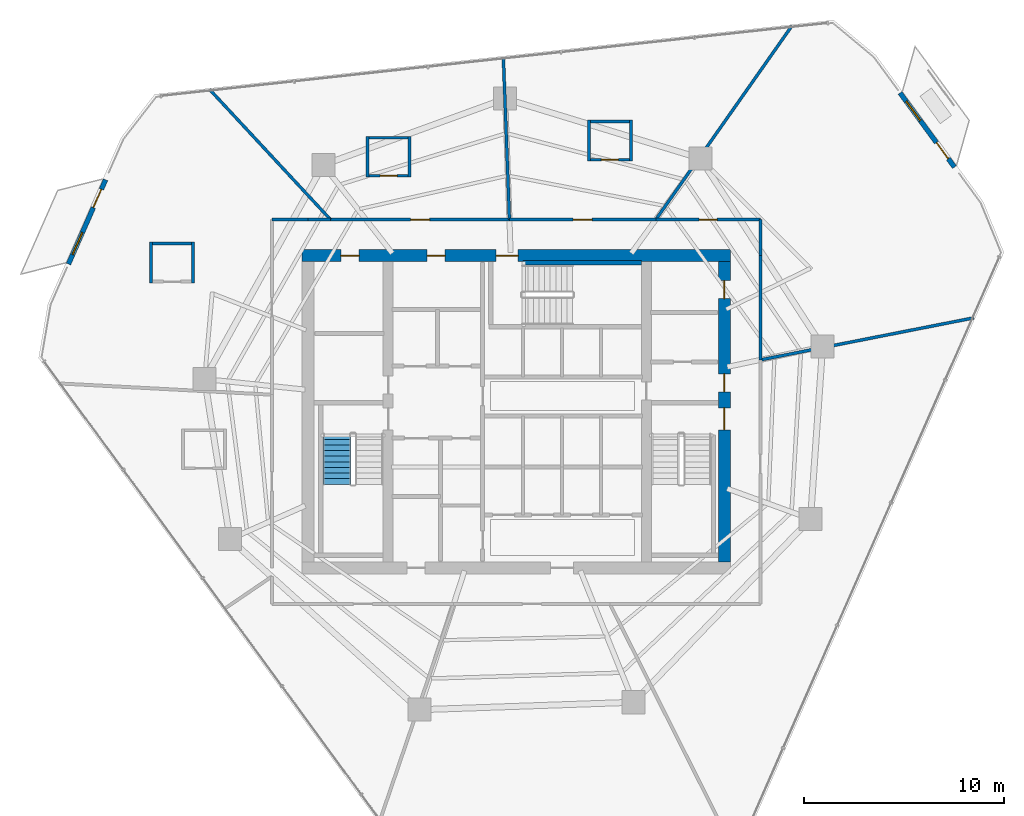
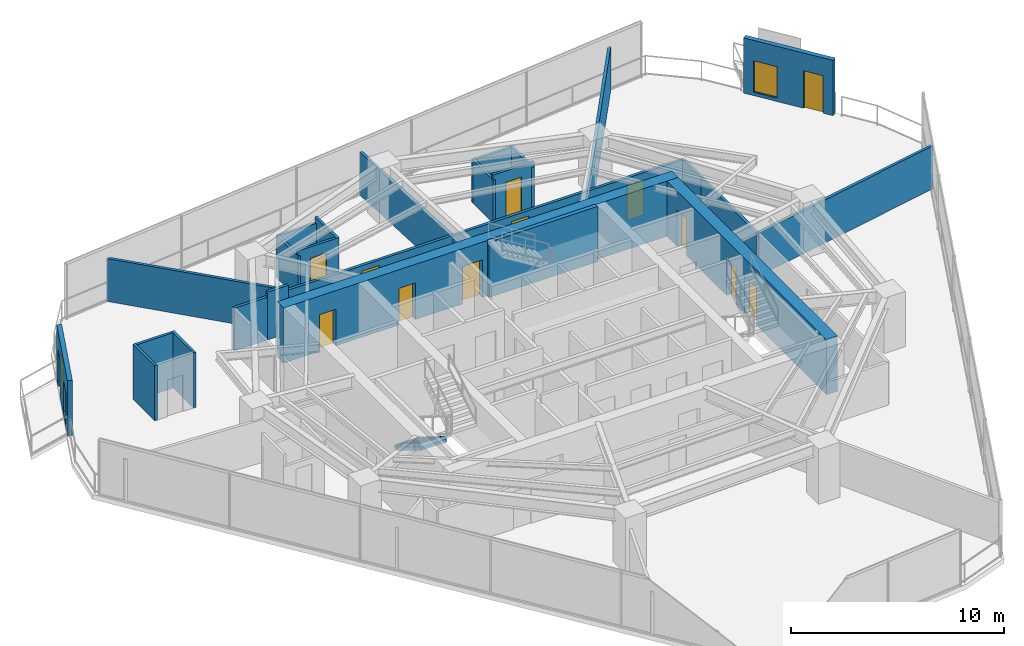
# One storey, part 26 of 30: 27 walls, 13 doors, 2 windows, 1 stair flight, 15 openings, 1 element without a shape of its own.
"""IFC4 building model written with IfcOpenShell, lengths in metres."""

import ifcopenshell
import ifcopenshell.guid

model = None  # the IFC model being written
_history = None  # IfcOwnerHistory: only IFC2X3 demands one
_inside = {}  # id of a spatial element -> (the spatial element, [elements in it])
_under = {}  # id of a project, library or spatial element -> (it, [spatial elements below it])
_declared = {}  # id of a project -> (the project, [libraries it declares])
_typed = {}  # id of a type object -> (the type object, [elements of that type])
_made_of = {}  # id of a material, layer set ... -> (it, [elements and type objects made of it])


def new_model(schema):
    """Start an empty IFC model of exactly this schema.

    Asked for "IFC4X3", IfcOpenShell would pick the latest addendum, in which some entities
    have other attributes; the version numbers below select the first issue.
    IFC2X3 requires an IfcOwnerHistory on every rooted entity: one is made here for all.
    """
    global model, _history
    if schema == "IFC4X3":
        model = ifcopenshell.file(schema_version=(4, 3, 0, 0))
    else:
        model = ifcopenshell.file(schema=schema)
    _inside.clear()
    _under.clear()
    _declared.clear()
    _typed.clear()
    _made_of.clear()
    _history = None
    if model.schema == "IFC2X3":
        org = make("IfcOrganization", Name="unknown")
        user = make(
            "IfcPersonAndOrganization",
            ThePerson=make("IfcPerson", FamilyName="unknown"),
            TheOrganization=org,
        )
        app = make(
            "IfcApplication",
            ApplicationDeveloper=org,
            Version="unknown",
            ApplicationFullName="unknown",
            ApplicationIdentifier="unknown",
        )
        _history = make(
            "IfcOwnerHistory",
            OwningUser=user,
            OwningApplication=app,
            ChangeAction="ADDED",
            CreationDate=0,
        )
    return model


def make(cls, **values):
    """One entity of the class cls with the attributes given. An attribute that is None is left unset."""
    return model.create_entity(
        cls, **{name: value for name, value in values.items() if value is not None}
    )


def rooted(cls, **values):
    """An entity with a GlobalId (a new one), such as an element, a storey or a relation."""
    return make(cls, GlobalId=ifcopenshell.guid.new(), OwnerHistory=_history, **values)


def si_unit(unit_type, name, prefix=None):
    """IfcSIUnit, for example si_unit("LENGTHUNIT", "METRE", prefix="MILLI")."""
    return make("IfcSIUnit", UnitType=unit_type, Prefix=prefix, Name=name)


def assignment(units):
    """IfcUnitAssignment: the units of a project."""
    return None if units is None else make("IfcUnitAssignment", Units=units)


def point(xyz):
    """IfcCartesianPoint."""
    return None if xyz is None else make("IfcCartesianPoint", Coordinates=xyz)


def direction(xyz):
    """IfcDirection."""
    return None if xyz is None else make("IfcDirection", DirectionRatios=xyz)


def frame(location, z_axis=None, x_axis=None):
    """IfcAxis2Placement3D, a coordinate frame: its origin and axes. An axis left out is left unset."""
    return make(
        "IfcAxis2Placement3D",
        Location=point(location),
        Axis=direction(z_axis),
        RefDirection=direction(x_axis),
    )


def frame_2d(location, x_axis=None):
    """IfcAxis2Placement2D, a coordinate frame in the plane: its origin and x axis."""
    return make(
        "IfcAxis2Placement2D", Location=point(location), RefDirection=direction(x_axis)
    )


def origin():
    """The frame at (0, 0, 0) with its axes left unset."""
    return frame((0.0, 0.0, 0.0))


def place(relative_to, where):
    """IfcLocalPlacement: puts the frame where relative to a parent placement (None: the world)."""
    return make(
        "IfcLocalPlacement", PlacementRelTo=relative_to, RelativePlacement=where
    )


def context(
    kind, dimensions, precision=None, world=None, true_north=None, identifier=None
):
    """IfcGeometricRepresentationContext, for example the 3D "Model" context."""
    return make(
        "IfcGeometricRepresentationContext",
        ContextIdentifier=identifier,
        ContextType=kind,
        CoordinateSpaceDimension=dimensions,
        Precision=precision,
        WorldCoordinateSystem=world,
        TrueNorth=true_north,
    )


def subcontext(parent, identifier, kind, view, scale=None):
    """IfcGeometricRepresentationSubContext, for example "Body" below "Model"."""
    return make(
        "IfcGeometricRepresentationSubContext",
        ContextIdentifier=identifier,
        ContextType=kind,
        ParentContext=parent,
        TargetScale=scale,
        TargetView=view,
    )


def project(units=None, contexts=None):
    """IfcProject with its units and contexts."""
    return rooted(
        "IfcProject",
        Name="project",
        RepresentationContexts=contexts,
        UnitsInContext=assignment(units),
    )


def spatial(cls, under=None, at=None, **own):
    """A site, building, storey or space (cls), placed at a placement, below another one or the project."""
    s = rooted(cls, ObjectPlacement=at, **own)
    if under is not None:
        _under.setdefault(under.id(), (under, []))[1].append(s)
    return s


def polyline(points):
    """IfcPolyline through the points."""
    return make("IfcPolyline", Points=[point(p) for p in points])


def profile(cls, at=None, kind="AREA", **sizes):
    """A parametric profile (cls). Its sizes go by their IFC names, for example OverallWidth=200.0."""
    return make(cls, ProfileType=kind, Position=at, **sizes)


def rectangle(**sizes):
    """IfcRectangleProfileDef."""
    return profile("IfcRectangleProfileDef", **sizes)


def outline(outer, holes=None, kind="AREA"):
    """IfcArbitraryClosedProfileDef: a profile drawn as a closed curve; with holes, ...WithVoids."""
    if holes is None:
        return make("IfcArbitraryClosedProfileDef", ProfileType=kind, OuterCurve=outer)
    return make(
        "IfcArbitraryProfileDefWithVoids",
        ProfileType=kind,
        OuterCurve=outer,
        InnerCurves=holes,
    )


def extrude(swept, where, along, depth):
    """IfcExtrudedAreaSolid: the profile swept, set in the frame where, extruded along a direction by depth."""
    return make(
        "IfcExtrudedAreaSolid",
        SweptArea=swept,
        Position=where,
        ExtrudedDirection=direction(along),
        Depth=depth,
    )


def shape(context_of_items, identifier, shape_type, items):
    """IfcShapeRepresentation: the items that make up one representation, for example the "Body"."""
    return make(
        "IfcShapeRepresentation",
        ContextOfItems=context_of_items,
        RepresentationIdentifier=identifier,
        RepresentationType=shape_type,
        Items=items,
    )


def material(Name=None, Category=None):
    """IfcMaterial."""
    return make("IfcMaterial", Name=Name, Category=Category)


def layer(
    of_material, thickness, ventilated=None, Name=None, Category=None, Priority=None
):
    """IfcMaterialLayer: one layer of a wall or slab, of a material (None: an air gap)."""
    return make(
        "IfcMaterialLayer",
        Material=of_material,
        LayerThickness=thickness,
        IsVentilated=ventilated,
        Name=Name,
        Category=Category,
        Priority=Priority,
    )


def layer_set(layers, Name=None):
    """IfcMaterialLayerSet."""
    return make("IfcMaterialLayerSet", MaterialLayers=layers, LayerSetName=Name)


def made_of(thing, what):
    """Note that an element or type object is made of a material, layer set ...; save() writes the relation."""
    if what is not None:
        _made_of.setdefault(what.id(), (what, []))[1].append(thing)
    return thing


def type_object(cls, material=None, **own):
    """A type object (cls), such as IfcWallType, which elements share."""
    return made_of(rooted(cls, **own), material)


def element(
    cls,
    number,
    at=None,
    inside=None,
    cuts=None,
    type_object=None,
    material=None,
    context=None,
    identifier="Body",
    shape_type=None,
    held_by="IfcProductDefinitionShape",
    body=None,
    shapes=None,
    **own,
):
    """One element of the class cls, such as IfcWall. Its Tag is "e" and its number.

    at: its placement. inside: the storey or other place that contains it. cuts: it is an
    opening in that element (IfcRelVoidsElement). A single representation is given by context,
    identifier, shape_type and body (its items); several are given by shapes. held_by: the class
    of the entity that holds the representations. save() writes the other relations.
    """
    e = rooted(cls, Tag="e%d" % number, ObjectPlacement=at, **own)
    if body is not None:
        shapes = [shape(context, identifier, shape_type, body)]
    if shapes is not None:
        e.Representation = make(held_by, Representations=shapes)
    if inside is not None:
        _inside.setdefault(inside.id(), (inside, []))[1].append(e)
    if cuts is not None:
        rooted(
            "IfcRelVoidsElement", RelatingBuildingElement=cuts, RelatedOpeningElement=e
        )
    if type_object is not None:
        _typed.setdefault(type_object.id(), (type_object, []))[1].append(e)
    return made_of(e, material)


def fill(opening, filler):
    """IfcRelFillsElement: the door or window that sits in an opening."""
    return rooted(
        "IfcRelFillsElement",
        RelatingOpeningElement=opening,
        RelatedBuildingElement=filler,
    )


def aggregate(whole, parts):
    """IfcRelAggregates: a whole, such as a stair, and the parts it consists of."""
    return rooted("IfcRelAggregates", RelatingObject=whole, RelatedObjects=parts)


def save(model, path):
    """Write the relations noted so far, then the file.

    IfcRelAggregates (storeys below a building ...), IfcRelContainedInSpatialStructure (elements
    in a storey), IfcRelDefinesByType, IfcRelAssociatesMaterial and IfcRelDeclares: one each for
    every whole, place, type object, material and project.
    """
    for whole, parts in _under.values():
        aggregate(whole, parts)
    for where, things in _inside.values():
        rooted(
            "IfcRelContainedInSpatialStructure",
            RelatedElements=things,
            RelatingStructure=where,
        )
    for kind, things in _typed.values():
        rooted("IfcRelDefinesByType", RelatedObjects=things, RelatingType=kind)
    for what, things in _made_of.values():
        rooted("IfcRelAssociatesMaterial", RelatedObjects=things, RelatingMaterial=what)
    for by, libraries in _declared.values():
        rooted("IfcRelDeclares", RelatingContext=by, RelatedDefinitions=libraries)
    model.write(path)


model = new_model("IFC4")

# Units and contexts
model_context = context("Model", 3, precision=1e-05, world=origin(), true_north=direction((0.0, 1.0)))
body_context = subcontext(model_context, "Body", "Model", "MODEL_VIEW")
ifc_project = project(units=[si_unit("LENGTHUNIT", "METRE"), si_unit("AREAUNIT", "SQUARE_METRE"), si_unit("VOLUMEUNIT", "CUBIC_METRE"), si_unit("PLANEANGLEUNIT", "RADIAN"), si_unit("MASSUNIT", "GRAM", prefix="KILO")], contexts=[model_context])

# Site, building, storey
site_placement = place(None, origin())
site = spatial("IfcSite", under=ifc_project, at=site_placement, CompositionType="ELEMENT")
building_placement = place(site_placement, origin())
building = spatial("IfcBuilding", under=site, at=building_placement, Name="Qarnah Convention Tower", CompositionType="ELEMENT")
storey_placement = place(building_placement, frame((0.0, 0.0, 90.14990234375)))
storey = spatial("IfcBuildingStorey", under=building, at=storey_placement, Name="L23", CompositionType="ELEMENT", Elevation=90.14990234375)

# Wall, openings, doors
ifc_material_1 = material(Name="Concrete C60/75", Category="concrete")
ifc_layer_1 = layer(ifc_material_1, 0.60009765625)
ifc_layer_set_1 = layer_set([ifc_layer_1], Name="Concrete C60/75")
wall_type_1 = type_object("IfcWallType", Name="WL-CORE-600", PredefinedType="SHEAR", material=ifc_layer_set_1)
wall_1_placement = place(storey_placement, frame((26.5, 34.199951171875, 0.0), z_axis=(0.0, 0.0, 1.0), x_axis=(1.0, 0.0, 0.0)))
wall_1 = element("IfcWall", 1, at=wall_1_placement, inside=storey, type_object=wall_type_1, Name="L23 core north shear wall", PredefinedType="SHEAR", context=body_context, shape_type="SweptSolid", body=[
    extrude(rectangle(XDim=21.39990234375, YDim=0.60009765625, at=frame_2d((10.699951171875, 0.0))), origin(), (0.0, 0.0, 1.0), 3.170166015625),
])
opening_1_placement = place(wall_1_placement, frame((9.699951171875, 0.0, 0.0)))
opening_1 = element("IfcOpeningElement", 2, at=opening_1_placement, cuts=wall_1, Name="Opening D-2303", PredefinedType="OPENING", context=body_context, shape_type="SweptSolid", body=[
    extrude(rectangle(XDim=1.10009765625, YDim=2.14990234375, at=frame_2d((0.550048828125, 1.074951171875))), frame((0.0, 0.31005859375, 0.0), z_axis=(0.0, -1.0, 0.0), x_axis=(1.0, 0.0, 0.0)), (0.0, 0.0, 1.0), 0.6201171875),
])
opening_2_placement = place(wall_1_placement, frame((1.949951171875, 0.0, 0.0)))
opening_2 = element("IfcOpeningElement", 3, at=opening_2_placement, cuts=wall_1, Name="Opening D-2309", PredefinedType="OPENING", context=body_context, shape_type="SweptSolid", body=[
    extrude(rectangle(XDim=0.89990234375, YDim=2.10009765625, at=frame_2d((0.449951171875, 1.050048828125))), frame((0.0, 0.31005859375, 0.0), z_axis=(0.0, -1.0, 0.0), x_axis=(1.0, 0.0, 0.0)), (0.0, 0.0, 1.0), 0.6201171875),
])
opening_3_placement = place(wall_1_placement, frame((6.25, 0.0, 0.0)))
opening_3 = element("IfcOpeningElement", 4, at=opening_3_placement, cuts=wall_1, Name="Opening D-2310", PredefinedType="OPENING", context=body_context, shape_type="SweptSolid", body=[
    extrude(rectangle(XDim=0.89990234375, YDim=2.10009765625, at=frame_2d((0.449951171875, 1.050048828125))), frame((0.0, 0.31005859375, 0.0), z_axis=(0.0, -1.0, 0.0), x_axis=(1.0, 0.0, 0.0)), (0.0, 0.0, 1.0), 0.6201171875),
])
ifc_material_2 = material(Name="Structural steel S355JR", Category="steel")
door_type_1 = type_object("IfcDoorType", Name="DT-RISER-900", OperationType="NOTDEFINED", PredefinedType="DOOR", material=ifc_material_2)
door_1_placement = place(opening_2_placement, origin())
door_1 = element("IfcDoor", 5, at=door_1_placement, inside=storey, type_object=door_type_1, Name="Door D-2309", OperationType="SINGLE_SWING_LEFT", OverallHeight=2.10009765625, OverallWidth=0.89990234375, PredefinedType="DOOR", context=body_context, shape_type="SweptSolid", body=[
    extrude(rectangle(XDim=0.89990234375, YDim=2.10009765625, at=frame_2d((0.449951171875, 1.050048828125))), frame((0.0, 0.02490234375, 0.0), z_axis=(0.0, -1.0, 0.0), x_axis=(1.0, 0.0, 0.0)), (0.0, 0.0, 1.0), 0.050048828125),
])
fill(opening_2, door_1)
door_2_placement = place(opening_3_placement, origin())
door_2 = element("IfcDoor", 6, at=door_2_placement, inside=storey, type_object=door_type_1, Name="Door D-2310", OperationType="SINGLE_SWING_RIGHT", OverallHeight=2.10009765625, OverallWidth=0.89990234375, PredefinedType="DOOR", context=body_context, shape_type="SweptSolid", body=[
    extrude(rectangle(XDim=0.89990234375, YDim=2.10009765625, at=frame_2d((0.449951171875, 1.050048828125))), frame((0.0, 0.02490234375, 0.0), z_axis=(0.0, -1.0, 0.0), x_axis=(1.0, 0.0, 0.0)), (0.0, 0.0, 1.0), 0.050048828125),
])
fill(opening_3, door_2)
door_type_2 = type_object("IfcDoorType", Name="DT-STAIR-1100", OperationType="NOTDEFINED", PredefinedType="DOOR", material=ifc_material_2)
door_3_placement = place(opening_1_placement, origin())
door_3 = element("IfcDoor", 7, at=door_3_placement, inside=storey, type_object=door_type_2, Name="Door D-2303", OperationType="SINGLE_SWING_LEFT", OverallHeight=2.14990234375, OverallWidth=1.10009765625, PredefinedType="DOOR", context=body_context, shape_type="SweptSolid", body=[
    extrude(rectangle(XDim=1.10009765625, YDim=2.14990234375, at=frame_2d((0.550048828125, 1.074951171875))), frame((0.0, 0.02490234375, 0.0), z_axis=(0.0, -1.0, 0.0), x_axis=(1.0, 0.0, 0.0)), (0.0, 0.0, 1.0), 0.050048828125),
])
fill(opening_1, door_3)

wall_2_placement = place(storey_placement, frame((47.60009765625, 18.89990234375, 0.0), z_axis=(0.0, 0.0, 1.0), x_axis=(0.0, 1.0, 0.0)))
wall_2 = element("IfcWall", 8, at=wall_2_placement, inside=storey, type_object=wall_type_1, Name="L23 core east shear wall", PredefinedType="SHEAR", context=body_context, shape_type="SweptSolid", body=[
    extrude(rectangle(XDim=15.0, YDim=0.60009765625, at=frame_2d((7.5, 0.0))), origin(), (0.0, 0.0, 1.0), 3.170166015625),
])
opening_4_placement = place(wall_2_placement, frame((6.60009765625, 0.0, 0.0)))
opening_4 = element("IfcOpeningElement", 9, at=opening_4_placement, cuts=wall_2, Name="Opening D-2302", PredefinedType="OPENING", context=body_context, shape_type="SweptSolid", body=[
    extrude(rectangle(XDim=1.10009765625, YDim=2.14990234375, at=frame_2d((0.550048828125, 1.074951171875))), frame((0.0, 0.31005859375, 0.0), z_axis=(0.0, -1.0, 0.0), x_axis=(1.0, 0.0, 0.0)), (0.0, 0.0, 1.0), 0.6201171875),
])
opening_5_placement = place(wall_2_placement, frame((8.5, 0.0, 0.0)))
opening_5 = element("IfcOpeningElement", 10, at=opening_5_placement, cuts=wall_2, Name="Opening D-2306", PredefinedType="OPENING", context=body_context, shape_type="SweptSolid", body=[
    extrude(rectangle(XDim=0.89990234375, YDim=2.10009765625, at=frame_2d((0.449951171875, 1.050048828125))), frame((0.0, 0.31005859375, 0.0), z_axis=(0.0, -1.0, 0.0), x_axis=(1.0, 0.0, 0.0)), (0.0, 0.0, 1.0), 0.6201171875),
])
opening_6_placement = place(wall_2_placement, frame((13.14990234375, 0.0, 0.0)))
opening_6 = element("IfcOpeningElement", 11, at=opening_6_placement, cuts=wall_2, Name="Opening D-2312", PredefinedType="OPENING", context=body_context, shape_type="SweptSolid", body=[
    extrude(rectangle(XDim=0.89990234375, YDim=2.10009765625, at=frame_2d((0.449951171875, 1.050048828125))), frame((0.0, 0.31005859375, 0.0), z_axis=(0.0, -1.0, 0.0), x_axis=(1.0, 0.0, 0.0)), (0.0, 0.0, 1.0), 0.6201171875),
])
door_4_placement = place(opening_5_placement, origin())
door_4 = element("IfcDoor", 12, at=door_4_placement, inside=storey, type_object=door_type_1, Name="Door D-2306", OperationType="SINGLE_SWING_RIGHT", OverallHeight=2.10009765625, OverallWidth=0.89990234375, PredefinedType="DOOR", context=body_context, shape_type="SweptSolid", body=[
    extrude(rectangle(XDim=0.89990234375, YDim=2.10009765625, at=frame_2d((0.449951171875, 1.050048828125))), frame((0.0, 0.02490234375, 0.0), z_axis=(0.0, -1.0, 0.0), x_axis=(1.0, 0.0, 0.0)), (0.0, 0.0, 1.0), 0.050048828125),
])
fill(opening_5, door_4)
door_5_placement = place(opening_6_placement, origin())
door_5 = element("IfcDoor", 13, at=door_5_placement, inside=storey, type_object=door_type_1, Name="Door D-2312", OperationType="SINGLE_SWING_RIGHT", OverallHeight=2.10009765625, OverallWidth=0.89990234375, PredefinedType="DOOR", context=body_context, shape_type="SweptSolid", body=[
    extrude(rectangle(XDim=0.89990234375, YDim=2.10009765625, at=frame_2d((0.449951171875, 1.050048828125))), frame((0.0, 0.02490234375, 0.0), z_axis=(0.0, -1.0, 0.0), x_axis=(1.0, 0.0, 0.0)), (0.0, 0.0, 1.0), 0.050048828125),
])
fill(opening_6, door_5)
door_6_placement = place(opening_4_placement, origin())
door_6 = element("IfcDoor", 14, at=door_6_placement, inside=storey, type_object=door_type_2, Name="Door D-2302", OperationType="SINGLE_SWING_RIGHT", OverallHeight=2.14990234375, OverallWidth=1.10009765625, PredefinedType="DOOR", context=body_context, shape_type="SweptSolid", body=[
    extrude(rectangle(XDim=1.10009765625, YDim=2.14990234375, at=frame_2d((0.550048828125, 1.074951171875))), frame((0.0, 0.02490234375, 0.0), z_axis=(0.0, -1.0, 0.0), x_axis=(1.0, 0.0, 0.0)), (0.0, 0.0, 1.0), 0.050048828125),
])
fill(opening_4, door_6)

# Wall
ifc_layer_2 = layer(ifc_material_1, 0.219970703125)
ifc_layer_set_2 = layer_set([ifc_layer_2], Name="Concrete C60/75")
wall_type_2 = type_object("IfcWallType", Name="WL-CORE-STAIR-220", PredefinedType="SHEAR", material=ifc_layer_set_2)
wall_3_placement = place(storey_placement, frame((37.550048828125, 33.840087890625, 0.0), z_axis=(0.0, 0.0, 1.0), x_axis=(1.0, 0.0, 0.0)))
element("IfcWall", 15, at=wall_3_placement, inside=storey, type_object=wall_type_2, Name="L23 stair shaft shear wall SW-L23-ST3N", PredefinedType="SHEAR", context=body_context, shape_type="SweptSolid", body=[
    extrude(rectangle(XDim=5.89990234375, YDim=0.219970703125, at=frame_2d((2.949951171875, 0.0))), origin(), (0.0, 0.0, 1.0), 3.170166015625),
])

# Wall, openings, door, window
ifc_material_3 = material(Name="Precast concrete C45/55", Category="concrete")
ifc_layer_3 = layer(ifc_material_3, 0.239990234375)
ifc_layer_set_3 = layer_set([ifc_layer_3], Name="Precast concrete C45/55")
wall_type_3 = type_object("IfcWallType", Name="WL-EXT-BAL-240", PredefinedType="SOLIDWALL", material=ifc_layer_set_3)
wall_4_placement = place(storey_placement, frame((56.3779296875, 42.3310546875, 0.0), z_axis=(0.0, 0.0, 1.0), x_axis=(0.591269327331, -0.806474167322, 0.0)))
wall_4 = element("IfcWall", 16, at=wall_4_placement, inside=storey, type_object=wall_type_3, Name="L23 loggia threshold wall BAL-L23-C1", PredefinedType="SOLIDWALL", context=body_context, shape_type="SweptSolid", body=[
    extrude(rectangle(XDim=4.600341796875, YDim=0.239990234375, at=frame_2d((2.30029296875, 0.0))), origin(), (0.0, 0.0, 1.0), 3.170166015625),
])
opening_7_placement = place(wall_4_placement, frame((3.080078125, 0.0, 0.0)))
opening_7 = element("IfcOpeningElement", 17, at=opening_7_placement, cuts=wall_4, Name="Opening BD-2301", PredefinedType="OPENING", context=body_context, shape_type="SweptSolid", body=[
    extrude(rectangle(XDim=1.0, YDim=2.14990234375, at=frame_2d((0.5, 1.074951171875))), frame((0.0, 0.1298828125, 0.0), z_axis=(0.0, -1.0, 0.0), x_axis=(1.0, 0.0, 0.0)), (0.0, 0.0, 1.0), 0.260009765625),
])
opening_8_placement = place(wall_4_placement, frame((0.52001953125, 0.0, 0.199951171875)))
opening_8 = element("IfcOpeningElement", 18, at=opening_8_placement, cuts=wall_4, Name="Opening WN5", PredefinedType="OPENING", context=body_context, shape_type="SweptSolid", body=[
    extrude(rectangle(XDim=1.199951171875, YDim=1.800048828125, at=frame_2d((0.60009765625, 0.89990234375))), frame((0.0, 0.1298828125, 0.0), z_axis=(0.0, -1.0, 0.0), x_axis=(1.0, 0.0, 0.0)), (0.0, 0.0, 1.0), 0.260009765625),
])
ifc_material_4 = material(Name="Black anodised aluminium", Category="aluminium")
door_type_3 = type_object("IfcDoorType", Name="DT-BAL-1000", OperationType="NOTDEFINED", PredefinedType="DOOR", material=ifc_material_4)
door_7_placement = place(opening_7_placement, origin())
door_7 = element("IfcDoor", 19, at=door_7_placement, inside=storey, type_object=door_type_3, Name="L23 balcony terrace door BAL-L23-C1", OperationType="SINGLE_SWING_LEFT", OverallHeight=2.14990234375, OverallWidth=1.0, PredefinedType="DOOR", context=body_context, shape_type="SweptSolid", body=[
    extrude(rectangle(XDim=1.0, YDim=2.14990234375, at=frame_2d((0.5, 1.074951171875))), frame((0.0, 0.02490234375, 0.0), z_axis=(0.0, -1.0, 0.0), x_axis=(1.0, 0.0, 0.0)), (0.0, 0.0, 1.0), 0.050048828125),
])
fill(opening_7, door_7)
ifc_material_5 = material(Name="Tempered Low-E dark glass", Category="glass")
window_type = type_object("IfcWindowType", Name="WT-BAL-1200X1800", PartitioningType="SINGLE_PANEL", PredefinedType="WINDOW", material=ifc_material_5)
window_1_placement = place(opening_8_placement, origin())
window_1 = element("IfcWindow", 20, at=window_1_placement, inside=storey, type_object=window_type, Name="Window BW-BAL-L23-C1", OverallHeight=1.800048828125, OverallWidth=1.199951171875, PartitioningType="SINGLE_PANEL", PredefinedType="WINDOW", context=body_context, shape_type="SweptSolid", body=[
    extrude(rectangle(XDim=1.199951171875, YDim=1.800048828125, at=frame_2d((0.60009765625, 0.89990234375))), frame((0.0, 0.030029296875, 0.0), z_axis=(0.0, -1.0, 0.0), x_axis=(1.0, 0.0, 0.0)), (0.0, 0.0, 1.0), 0.06005859375),
])
fill(opening_8, window_1)

wall_5_placement = place(storey_placement, frame((14.8349609375, 33.781005859375, 0.0), z_axis=(0.0, 0.0, 1.0), x_axis=(0.402955546911, 0.915219551372, 0.0)))
wall_5 = element("IfcWall", 21, at=wall_5_placement, inside=storey, type_object=wall_type_3, Name="L23 loggia threshold wall BAL-L23-C2", PredefinedType="SOLIDWALL", context=body_context, shape_type="SweptSolid", body=[
    extrude(rectangle(XDim=4.60107421875, YDim=0.239990234375, at=frame_2d((2.300537109375, 0.0))), origin(), (0.0, 0.0, 1.0), 3.170166015625),
])
opening_9_placement = place(wall_5_placement, frame((3.0810546875, 0.0, 0.0)))
opening_9 = element("IfcOpeningElement", 22, at=opening_9_placement, cuts=wall_5, Name="Opening BD-2302", PredefinedType="OPENING", context=body_context, shape_type="SweptSolid", body=[
    extrude(rectangle(XDim=1.0, YDim=2.14990234375, at=frame_2d((0.5, 1.074951171875))), frame((0.0, 0.1298828125, 0.0), z_axis=(0.0, -1.0, 0.0), x_axis=(1.0, 0.0, 0.0)), (0.0, 0.0, 1.0), 0.260009765625),
])
opening_10_placement = place(wall_5_placement, frame((0.52001953125, 0.0, 0.199951171875)))
opening_10 = element("IfcOpeningElement", 23, at=opening_10_placement, cuts=wall_5, Name="Opening WN5", PredefinedType="OPENING", context=body_context, shape_type="SweptSolid", body=[
    extrude(rectangle(XDim=1.199951171875, YDim=1.800048828125, at=frame_2d((0.60009765625, 0.89990234375))), frame((0.0, 0.1298828125, 0.0), z_axis=(0.0, -1.0, 0.0), x_axis=(1.0, 0.0, 0.0)), (0.0, 0.0, 1.0), 0.260009765625),
])
door_8_placement = place(opening_9_placement, origin())
door_8 = element("IfcDoor", 24, at=door_8_placement, inside=storey, type_object=door_type_3, Name="L23 balcony terrace door BAL-L23-C2", OperationType="SINGLE_SWING_RIGHT", OverallHeight=2.14990234375, OverallWidth=1.0, PredefinedType="DOOR", context=body_context, shape_type="SweptSolid", body=[
    extrude(rectangle(XDim=1.0, YDim=2.14990234375, at=frame_2d((0.5, 1.074951171875))), frame((0.0, 0.02490234375, 0.0), z_axis=(0.0, -1.0, 0.0), x_axis=(1.0, 0.0, 0.0)), (0.0, 0.0, 1.0), 0.050048828125),
])
fill(opening_9, door_8)
window_2_placement = place(opening_10_placement, origin())
window_2 = element("IfcWindow", 25, at=window_2_placement, inside=storey, type_object=window_type, Name="Window BW-BAL-L23-C2", OverallHeight=1.800048828125, OverallWidth=1.199951171875, PartitioningType="SINGLE_PANEL", PredefinedType="WINDOW", context=body_context, shape_type="SweptSolid", body=[
    extrude(rectangle(XDim=1.199951171875, YDim=1.800048828125, at=frame_2d((0.60009765625, 0.89990234375))), frame((0.0, 0.030029296875, 0.0), z_axis=(0.0, -1.0, 0.0), x_axis=(1.0, 0.0, 0.0)), (0.0, 0.0, 1.0), 0.06005859375),
])
fill(opening_10, window_2)

# Wall
ifc_material_6 = material(Name="Gypsum partition board")
ifc_layer_4 = layer(ifc_material_6, 0.14990234375)
ifc_layer_set_4 = layer_set([ifc_layer_4], Name="Gypsum partition board")
wall_type_4 = type_object("IfcWallType", Name="WL-SUITE-150", PredefinedType="PARTITIONING", material=ifc_layer_set_4)
wall_6_placement = place(storey_placement, frame((50.97998046875, 45.68603515625, 0.0), z_axis=(0.0, 0.0, 1.0), x_axis=(-0.574862300316, -0.818250166926, 0.0)))
element("IfcWall", 26, at=wall_6_placement, inside=storey, type_object=wall_type_4, Name="L23 interior wall IW-L23-R-17", PredefinedType="PARTITIONING", context=body_context, shape_type="SweptSolid", body=[
    extrude(rectangle(XDim=11.83740234375, YDim=0.14990234375, at=frame_2d((5.918701171875, 0.0))), origin(), (0.0, 0.0, 1.0), 2.467041015625),
])

# Wall, opening, door
wall_7_placement = place(storey_placement, frame((44.175048828125, 36.0, 0.0), z_axis=(0.0, 0.0, 1.0), x_axis=(1.0, 0.0, 0.0)))
wall_7 = element("IfcWall", 27, at=wall_7_placement, inside=storey, type_object=wall_type_4, Name="L23 interior wall IW-L23-R-18", PredefinedType="PARTITIONING", context=body_context, shape_type="SweptSolid", body=[
    extrude(rectangle(XDim=5.224853515625, YDim=0.14990234375, at=frame_2d((2.6123046875, 0.0))), origin(), (0.0, 0.0, 1.0), 2.455078125),
])
opening_11_placement = place(wall_7_placement, frame((2.1630859375, 0.0, 0.0)))
opening_11 = element("IfcOpeningElement", 28, at=opening_11_placement, cuts=wall_7, Name="Opening D-2316", PredefinedType="OPENING", context=body_context, shape_type="SweptSolid", body=[
    extrude(rectangle(XDim=0.89990234375, YDim=2.0, at=frame_2d((0.449951171875, 1.0))), frame((0.0, 0.0849609375, 0.0), z_axis=(0.0, -1.0, 0.0), x_axis=(1.0, 0.0, 0.0)), (0.0, 0.0, 1.0), 0.169921875),
])
door_type_4 = type_object("IfcDoorType", Name="DT-PLANT-900", OperationType="NOTDEFINED", PredefinedType="DOOR", material=ifc_material_2)
door_9_placement = place(opening_11_placement, origin())
door_9 = element("IfcDoor", 29, at=door_9_placement, inside=storey, type_object=door_type_4, Name="Door D-2316", OperationType="SINGLE_SWING_RIGHT", OverallHeight=2.0, OverallWidth=0.89990234375, PredefinedType="DOOR", context=body_context, shape_type="SweptSolid", body=[
    extrude(rectangle(XDim=0.89990234375, YDim=2.0, at=frame_2d((0.449951171875, 1.0))), frame((0.0, 0.02490234375, 0.0), z_axis=(0.0, -1.0, 0.0), x_axis=(1.0, 0.0, 0.0)), (0.0, 0.0, 1.0), 0.050048828125),
])
fill(opening_11, door_9)

# Walls
wall_8_placement = place(storey_placement, frame((49.39990234375, 36.0, 0.0), z_axis=(0.0, 0.0, 1.0), x_axis=(0.0, -1.0, 0.0)))
element("IfcWall", 30, at=wall_8_placement, inside=storey, type_object=wall_type_4, Name="L23 interior wall IW-L23-R-19", PredefinedType="PARTITIONING", context=body_context, shape_type="SweptSolid", body=[
    extrude(rectangle(XDim=1.800048828125, YDim=0.14990234375, at=frame_2d((0.89990234375, 0.0))), origin(), (0.0, 0.0, 1.0), 2.455078125),
])
wall_9_placement = place(storey_placement, frame((49.39990234375, 34.199951171875, 0.0), z_axis=(0.0, 0.0, 1.0), x_axis=(0.0, -1.0, 0.0)))
element("IfcWall", 31, at=wall_9_placement, inside=storey, type_object=wall_type_4, Name="L23 interior wall IW-L23-R-20", PredefinedType="PARTITIONING", context=body_context, shape_type="SweptSolid", body=[
    extrude(rectangle(XDim=5.20703125, YDim=0.14990234375, at=frame_2d((2.603515625, 0.0))), origin(), (0.0, 0.0, 1.0), 2.455078125),
])
wall_10_placement = place(storey_placement, frame((49.39990234375, 28.992919921875, 0.0), z_axis=(0.0, 0.0, 1.0), x_axis=(0.981148531222, 0.193255167283, 0.0)))
element("IfcWall", 32, at=wall_10_placement, inside=storey, type_object=wall_type_4, Name="L23 interior wall IW-L23-R-21", PredefinedType="PARTITIONING", context=body_context, shape_type="SweptSolid", body=[
    extrude(rectangle(XDim=10.866943359375, YDim=0.14990234375, at=frame_2d((5.43359375, 0.0))), origin(), (0.0, 0.0, 1.0), 2.467041015625),
])
wall_11_placement = place(storey_placement, frame((36.56103515625, 44.089111328125, 0.0), z_axis=(0.0, 0.0, 1.0), x_axis=(0.037549331335, -0.999294775187, 0.0)))
element("IfcWall", 33, at=wall_11_placement, inside=storey, type_object=wall_type_4, Name="L23 interior wall IW-L23-R-22", PredefinedType="PARTITIONING", context=body_context, shape_type="SweptSolid", body=[
    extrude(rectangle(XDim=8.0947265625, YDim=0.14990234375, at=frame_2d((4.04736328125, 0.0))), origin(), (0.0, 0.0, 1.0), 2.467041015625),
])

# Wall, opening, door
wall_12_placement = place(storey_placement, frame((36.864990234375, 36.0, 0.0), z_axis=(0.0, 0.0, 1.0), x_axis=(1.0, 0.0, 0.0)))
wall_12 = element("IfcWall", 34, at=wall_12_placement, inside=storey, type_object=wall_type_4, Name="L23 interior wall IW-L23-R-23", PredefinedType="PARTITIONING", context=body_context, shape_type="SweptSolid", body=[
    extrude(rectangle(XDim=7.31005859375, YDim=0.14990234375, at=frame_2d((3.655029296875, 0.0))), origin(), (0.0, 0.0, 1.0), 2.467041015625),
])
opening_12_placement = place(wall_12_placement, frame((3.179931640625, 0.0, 0.0)))
opening_12 = element("IfcOpeningElement", 35, at=opening_12_placement, cuts=wall_12, Name="Opening D-2317", PredefinedType="OPENING", context=body_context, shape_type="SweptSolid", body=[
    extrude(rectangle(XDim=0.949951171875, YDim=2.14990234375, at=frame_2d((0.47509765625, 1.074951171875))), frame((0.0, 0.0849609375, 0.0), z_axis=(0.0, -1.0, 0.0), x_axis=(1.0, 0.0, 0.0)), (0.0, 0.0, 1.0), 0.169921875),
])
ifc_material_7 = material(Name="Oak timber veneer", Category="wood")
door_type_5 = type_object("IfcDoorType", Name="DT-HOTEL-950", OperationType="NOTDEFINED", PredefinedType="DOOR", material=ifc_material_7)
door_10_placement = place(opening_12_placement, origin())
door_10 = element("IfcDoor", 36, at=door_10_placement, inside=storey, type_object=door_type_5, Name="Door D-2317", OperationType="SINGLE_SWING_LEFT", OverallHeight=2.14990234375, OverallWidth=0.949951171875, PredefinedType="DOOR", context=body_context, shape_type="SweptSolid", body=[
    extrude(rectangle(XDim=0.949951171875, YDim=2.14990234375, at=frame_2d((0.47509765625, 1.074951171875))), frame((0.0, 0.02490234375, 0.0), z_axis=(0.0, -1.0, 0.0), x_axis=(1.0, 0.0, 0.0)), (0.0, 0.0, 1.0), 0.050048828125),
])
fill(opening_12, door_10)

# Wall
wall_13_placement = place(storey_placement, frame((21.888916015625, 42.5009765625, 0.0), z_axis=(0.0, 0.0, 1.0), x_axis=(0.680657905553, -0.732601402953, 0.0)))
element("IfcWall", 37, at=wall_13_placement, inside=storey, type_object=wall_type_4, Name="L23 interior wall IW-L23-R-24", PredefinedType="PARTITIONING", context=body_context, shape_type="SweptSolid", body=[
    extrude(rectangle(XDim=8.873779296875, YDim=0.14990234375, at=frame_2d((4.43701171875, 0.0))), origin(), (0.0, 0.0, 1.0), 2.455078125),
])

# Wall, opening, door
wall_14_placement = place(storey_placement, frame((27.928955078125, 36.0, 0.0), z_axis=(0.0, 0.0, 1.0), x_axis=(1.0, 0.0, 0.0)))
wall_14 = element("IfcWall", 38, at=wall_14_placement, inside=storey, type_object=wall_type_4, Name="L23 interior wall IW-L23-R-25", PredefinedType="PARTITIONING", context=body_context, shape_type="SweptSolid", body=[
    extrude(rectangle(XDim=8.93603515625, YDim=0.14990234375, at=frame_2d((4.468017578125, 0.0))), origin(), (0.0, 0.0, 1.0), 2.467041015625),
])
opening_13_placement = place(wall_14_placement, frame((3.992919921875, 0.0, 0.0)))
opening_13 = element("IfcOpeningElement", 39, at=opening_13_placement, cuts=wall_14, Name="Opening D-2319", PredefinedType="OPENING", context=body_context, shape_type="SweptSolid", body=[
    extrude(rectangle(XDim=0.949951171875, YDim=2.14990234375, at=frame_2d((0.47509765625, 1.074951171875))), frame((0.0, 0.0849609375, 0.0), z_axis=(0.0, -1.0, 0.0), x_axis=(1.0, 0.0, 0.0)), (0.0, 0.0, 1.0), 0.169921875),
])
door_11_placement = place(opening_13_placement, origin())
door_11 = element("IfcDoor", 40, at=door_11_placement, inside=storey, type_object=door_type_5, Name="Door D-2319", OperationType="SINGLE_SWING_LEFT", OverallHeight=2.14990234375, OverallWidth=0.949951171875, PredefinedType="DOOR", context=body_context, shape_type="SweptSolid", body=[
    extrude(rectangle(XDim=0.949951171875, YDim=2.14990234375, at=frame_2d((0.47509765625, 1.074951171875))), frame((0.0, 0.02490234375, 0.0), z_axis=(0.0, -1.0, 0.0), x_axis=(1.0, 0.0, 0.0)), (0.0, 0.0, 1.0), 0.050048828125),
])
fill(opening_13, door_11)

# Walls
wall_15_placement = place(storey_placement, frame((25.0, 36.0, 0.0), z_axis=(0.0, 0.0, 1.0), x_axis=(1.0, 0.0, 0.0)))
element("IfcWall", 41, at=wall_15_placement, inside=storey, type_object=wall_type_4, Name="L23 interior wall IW-L23-R-28", PredefinedType="PARTITIONING", context=body_context, shape_type="SweptSolid", body=[
    extrude(rectangle(XDim=1.800048828125, YDim=0.14990234375, at=frame_2d((0.89990234375, 0.0))), origin(), (0.0, 0.0, 1.0), 2.455078125),
])
wall_16_placement = place(storey_placement, frame((26.800048828125, 36.0, 0.0), z_axis=(0.0, 0.0, 1.0), x_axis=(1.0, 0.0, 0.0)))
element("IfcWall", 42, at=wall_16_placement, inside=storey, type_object=wall_type_4, Name="L23 interior wall IW-L23-R-29", PredefinedType="PARTITIONING", context=body_context, shape_type="SweptSolid", body=[
    extrude(rectangle(XDim=1.12890625, YDim=0.14990234375, at=frame_2d((0.564453125, 0.0))), origin(), (0.0, 0.0, 1.0), 2.7470703125),
])

# Wall, opening, door
ifc_layer_5 = layer(ifc_material_6, 0.139892578125)
ifc_layer_set_5 = layer_set([ifc_layer_5], Name="Gypsum partition board")
wall_type_5 = type_object("IfcWallType", Name="WL-WET-140", PredefinedType="PARTITIONING", material=ifc_layer_set_5)
wall_17_placement = place(storey_placement, frame((40.763916015625, 38.9951171875, 0.0), z_axis=(0.0, 0.0, 1.0), x_axis=(1.0, 0.0, 0.0)))
wall_17 = element("IfcWall", 43, at=wall_17_placement, inside=storey, type_object=wall_type_5, Name="L23 interior wall IW-L23-ENS01-1", PredefinedType="PARTITIONING", context=body_context, shape_type="SweptSolid", body=[
    extrude(rectangle(XDim=2.239990234375, YDim=0.139892578125, at=frame_2d((1.1201171875, 0.0))), origin(), (0.0, 0.0, 1.0), 2.7470703125),
])
opening_14_placement = place(wall_17_placement, frame((0.695068359375, 0.0, 0.0)))
opening_14 = element("IfcOpeningElement", 44, at=opening_14_placement, cuts=wall_17, Name="Opening D-2318", PredefinedType="OPENING", context=body_context, shape_type="SweptSolid", body=[
    extrude(rectangle(XDim=0.85009765625, YDim=2.10009765625, at=frame_2d((0.425048828125, 1.050048828125))), frame((0.0, 0.079833984375, 0.0), z_axis=(0.0, -1.0, 0.0), x_axis=(1.0, 0.0, 0.0)), (0.0, 0.0, 1.0), 0.159912109375),
])
door_type_6 = type_object("IfcDoorType", Name="DT-BATH-850", OperationType="NOTDEFINED", PredefinedType="DOOR", material=ifc_material_7)
door_12_placement = place(opening_14_placement, origin())
door_12 = element("IfcDoor", 45, at=door_12_placement, inside=storey, type_object=door_type_6, Name="Door D-2318", OperationType="SINGLE_SWING_RIGHT", OverallHeight=2.10009765625, OverallWidth=0.85009765625, PredefinedType="DOOR", context=body_context, shape_type="SweptSolid", body=[
    extrude(rectangle(XDim=0.85009765625, YDim=2.10009765625, at=frame_2d((0.425048828125, 1.050048828125))), frame((0.0, 0.02490234375, 0.0), z_axis=(0.0, -1.0, 0.0), x_axis=(1.0, 0.0, 0.0)), (0.0, 0.0, 1.0), 0.050048828125),
])
fill(opening_14, door_12)

# Walls
wall_18_placement = place(storey_placement, frame((42.93408203125, 38.925048828125, 0.0), z_axis=(0.0, 0.0, 1.0), x_axis=(0.0, 1.0, 0.0)))
element("IfcWall", 46, at=wall_18_placement, inside=storey, type_object=wall_type_5, Name="L23 interior wall IW-L23-ENS01-2", PredefinedType="PARTITIONING", context=body_context, shape_type="SweptSolid", body=[
    extrude(rectangle(XDim=2.0400390625, YDim=0.139892578125, at=frame_2d((1.02001953125, 0.0))), origin(), (0.0, 0.0, 1.0), 2.455078125),
])
wall_19_placement = place(storey_placement, frame((43.00390625, 40.89501953125, 0.0), z_axis=(0.0, 0.0, 1.0), x_axis=(-1.0, 0.0, 0.0)))
element("IfcWall", 47, at=wall_19_placement, inside=storey, type_object=wall_type_5, Name="L23 interior wall IW-L23-ENS01-3", PredefinedType="PARTITIONING", context=body_context, shape_type="SweptSolid", body=[
    extrude(rectangle(XDim=2.239990234375, YDim=0.139892578125, at=frame_2d((1.1201171875, 0.0))), origin(), (0.0, 0.0, 1.0), 2.455078125),
])
wall_20_placement = place(storey_placement, frame((40.833984375, 40.965087890625, 0.0), z_axis=(0.0, 0.0, 1.0), x_axis=(0.0, -1.0, 0.0)))
element("IfcWall", 48, at=wall_20_placement, inside=storey, type_object=wall_type_5, Name="L23 interior wall IW-L23-ENS01-4", PredefinedType="PARTITIONING", context=body_context, shape_type="SweptSolid", body=[
    extrude(rectangle(XDim=2.0400390625, YDim=0.139892578125, at=frame_2d((1.02001953125, 0.0))), origin(), (0.0, 0.0, 1.0), 2.455078125),
])

# Wall, opening, door
wall_21_placement = place(storey_placement, frame((29.7060546875, 38.18994140625, 0.0), z_axis=(0.0, 0.0, 1.0), x_axis=(1.0, 0.0, 0.0)))
wall_21 = element("IfcWall", 49, at=wall_21_placement, inside=storey, type_object=wall_type_5, Name="L23 interior wall IW-L23-ENS02-1", PredefinedType="PARTITIONING", context=body_context, shape_type="SweptSolid", body=[
    extrude(rectangle(XDim=2.239990234375, YDim=0.139892578125, at=frame_2d((1.1201171875, 0.0))), origin(), (0.0, 0.0, 1.0), 2.7470703125),
])
opening_15_placement = place(wall_21_placement, frame((0.695068359375, 0.0, 0.0)))
opening_15 = element("IfcOpeningElement", 50, at=opening_15_placement, cuts=wall_21, Name="Opening D-2320", PredefinedType="OPENING", context=body_context, shape_type="SweptSolid", body=[
    extrude(rectangle(XDim=0.85009765625, YDim=2.10009765625, at=frame_2d((0.425048828125, 1.050048828125))), frame((0.0, 0.079833984375, 0.0), z_axis=(0.0, -1.0, 0.0), x_axis=(1.0, 0.0, 0.0)), (0.0, 0.0, 1.0), 0.159912109375),
])
door_13_placement = place(opening_15_placement, origin())
door_13 = element("IfcDoor", 51, at=door_13_placement, inside=storey, type_object=door_type_6, Name="Door D-2320", OperationType="SINGLE_SWING_RIGHT", OverallHeight=2.10009765625, OverallWidth=0.85009765625, PredefinedType="DOOR", context=body_context, shape_type="SweptSolid", body=[
    extrude(rectangle(XDim=0.85009765625, YDim=2.10009765625, at=frame_2d((0.425048828125, 1.050048828125))), frame((0.0, 0.02490234375, 0.0), z_axis=(0.0, -1.0, 0.0), x_axis=(1.0, 0.0, 0.0)), (0.0, 0.0, 1.0), 0.050048828125),
])
fill(opening_15, door_13)

# Walls
wall_22_placement = place(storey_placement, frame((31.8759765625, 38.1201171875, 0.0), z_axis=(0.0, 0.0, 1.0), x_axis=(0.0, 1.0, 0.0)))
element("IfcWall", 52, at=wall_22_placement, inside=storey, type_object=wall_type_5, Name="L23 interior wall IW-L23-ENS02-2", PredefinedType="PARTITIONING", context=body_context, shape_type="SweptSolid", body=[
    extrude(rectangle(XDim=2.039794921875, YDim=0.139892578125, at=frame_2d((1.02001953125, 0.0))), origin(), (0.0, 0.0, 1.0), 2.7470703125),
])
wall_23_placement = place(storey_placement, frame((31.946044921875, 40.090087890625, 0.0), z_axis=(0.0, 0.0, 1.0), x_axis=(-1.0, 0.0, 0.0)))
element("IfcWall", 53, at=wall_23_placement, inside=storey, type_object=wall_type_5, Name="L23 interior wall IW-L23-ENS02-3", PredefinedType="PARTITIONING", context=body_context, shape_type="SweptSolid", body=[
    extrude(rectangle(XDim=2.239990234375, YDim=0.139892578125, at=frame_2d((1.1201171875, 0.0))), origin(), (0.0, 0.0, 1.0), 2.455078125),
])
wall_24_placement = place(storey_placement, frame((29.77587890625, 40.159912109375, 0.0), z_axis=(0.0, 0.0, 1.0), x_axis=(0.0, -1.0, 0.0)))
element("IfcWall", 54, at=wall_24_placement, inside=storey, type_object=wall_type_5, Name="L23 interior wall IW-L23-ENS02-4", PredefinedType="PARTITIONING", context=body_context, shape_type="SweptSolid", body=[
    extrude(rectangle(XDim=2.039794921875, YDim=0.139892578125, at=frame_2d((1.02001953125, 0.0))), origin(), (0.0, 0.0, 1.0), 2.455078125),
])
wall_25_placement = place(storey_placement, frame((21.06103515625, 32.8369140625, 0.0), z_axis=(0.0, 0.0, 1.0), x_axis=(0.0, 1.0, 0.0)))
element("IfcWall", 55, at=wall_25_placement, inside=storey, type_object=wall_type_5, Name="L23 interior wall IW-L23-ENS03-2", PredefinedType="PARTITIONING", context=body_context, shape_type="SweptSolid", body=[
    extrude(rectangle(XDim=2.0400390625, YDim=0.139892578125, at=frame_2d((1.02001953125, 0.0))), origin(), (0.0, 0.0, 1.0), 3.170166015625),
])
wall_26_placement = place(storey_placement, frame((21.131103515625, 34.806884765625, 0.0), z_axis=(0.0, 0.0, 1.0), x_axis=(-1.0, 0.0, 0.0)))
element("IfcWall", 56, at=wall_26_placement, inside=storey, type_object=wall_type_5, Name="L23 interior wall IW-L23-ENS03-3", PredefinedType="PARTITIONING", context=body_context, shape_type="SweptSolid", body=[
    extrude(rectangle(XDim=2.239990234375, YDim=0.139892578125, at=frame_2d((1.1201171875, 0.0))), origin(), (0.0, 0.0, 1.0), 3.170166015625),
])
wall_27_placement = place(storey_placement, frame((18.9609375, 34.876953125, 0.0), z_axis=(0.0, 0.0, 1.0), x_axis=(0.0, -1.0, 0.0)))
element("IfcWall", 57, at=wall_27_placement, inside=storey, type_object=wall_type_5, Name="L23 interior wall IW-L23-ENS03-4", PredefinedType="PARTITIONING", context=body_context, shape_type="SweptSolid", body=[
    extrude(rectangle(XDim=2.0400390625, YDim=0.139892578125, at=frame_2d((1.02001953125, 0.0))), origin(), (0.0, 0.0, 1.0), 3.170166015625),
])

# Stair, stair flight
ifc_material_8 = material(Name="Concrete C50/60", Category="concrete")
stair_type = type_object("IfcStairType", Name="STR-HTL", PredefinedType="HALF_TURN_STAIR", material=ifc_material_8)
stair_placement = place(storey_placement, origin())
stair = element("IfcStair", 58, at=stair_placement, inside=storey, type_object=stair_type, Name="L23 Core exit stair ST-1", PredefinedType="HALF_TURN_STAIR")
stair_flight_type = type_object("IfcStairFlightType", Name="FLT-HTL", PredefinedType="STRAIGHT", material=ifc_material_8)
stair_flight_placement = place(storey_placement, frame((28.25, 25.300048828125, 0.0), z_axis=(0.0, 0.0, 1.0), x_axis=(0.0, -1.0, 0.0)))
stair_flight = element("IfcStairFlight", 59, at=stair_flight_placement, type_object=stair_flight_type, Name="ST-1 flight 1", NumberOfRisers=10, NumberOfTreads=9, PredefinedType="STRAIGHT", RiserHeight=0.1725, TreadLength=0.28, context=body_context, shape_type="SweptSolid", body=[
    extrude(outline(polyline([(0.0, 0.0), (0.0, 0.172607421875), (0.280029296875, 0.172607421875), (0.280029296875, 0.344970703125), (0.56005859375, 0.344970703125), (0.56005859375, 0.517578125), (0.840087890625, 0.517578125), (0.840087890625, 0.68994140625), (1.1201171875, 0.68994140625), (1.1201171875, 0.862548828125), (1.39990234375, 0.862548828125), (1.39990234375, 1.034912109375), (1.679931640625, 1.034912109375), (1.679931640625, 1.20751953125), (1.9599609375, 1.20751953125), (1.9599609375, 1.3798828125), (2.239990234375, 1.3798828125), (2.239990234375, 1.552490234375), (2.52001953125, 1.552490234375), (2.52001953125, 1.72509765625), (2.52001953125, 1.37646484375), (0.285888671875, 0.0), (0.0, 0.0)])), frame((0.0, 0.699951171875, 0.0), z_axis=(0.0, -1.0, 0.0), x_axis=(1.0, 0.0, 0.0)), (0.0, 0.0, 1.0), 1.39990234375),
])
aggregate(stair, [stair_flight])

save(model, "model.ifc")
